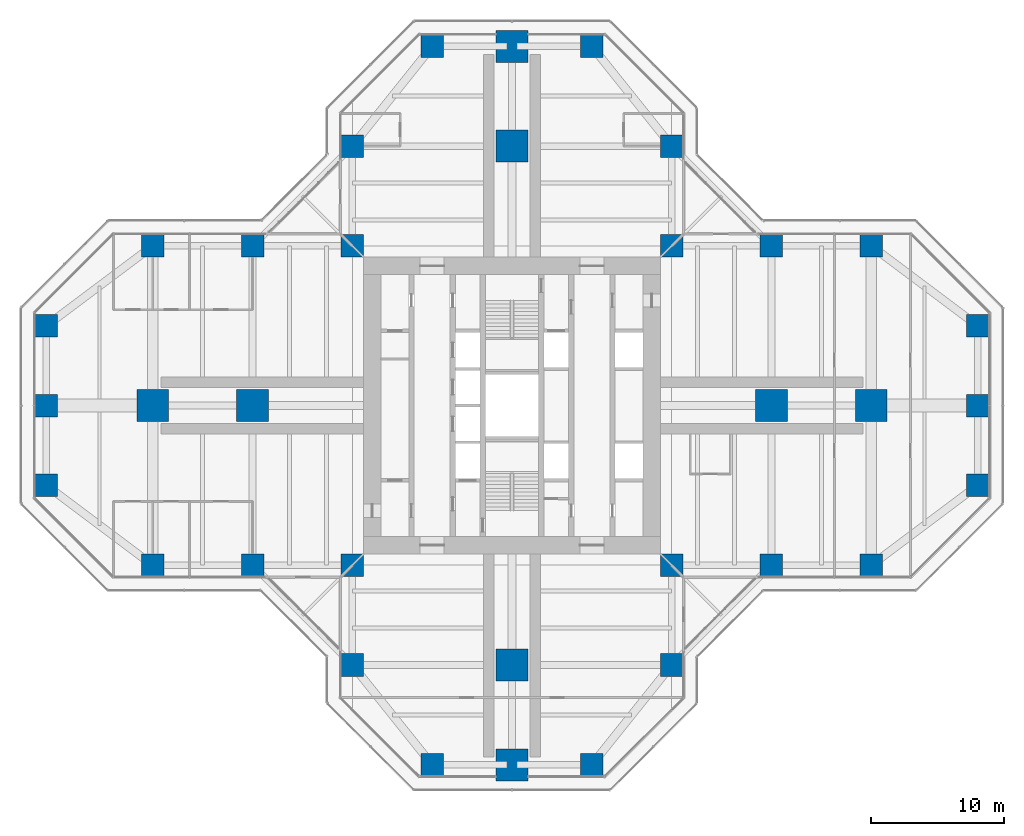
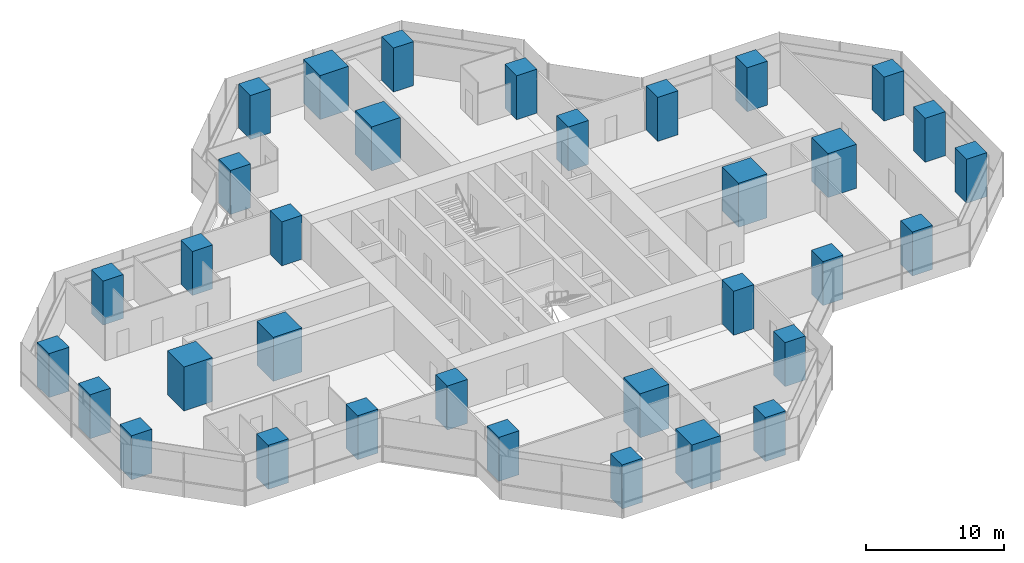
# One storey, part 1 of 20: 34 columns.
"""IFC4 building model written with IfcOpenShell, lengths in metres."""

from ifc_helpers import new_model, si_unit, direction, frame, origin, origin_2d, place, context, subcontext, project, spatial, rectangle, extrude, material, material_profile, profile_set, type_object, element, save


model = new_model("IFC4")

# Units and contexts
model_context = context("Model", 3, precision=1e-05, world=origin(), true_north=direction((0.0, 1.0)))
body_context = subcontext(model_context, "Body", "Model", "MODEL_VIEW")
ifc_project = project(units=[si_unit("LENGTHUNIT", "METRE"), si_unit("AREAUNIT", "SQUARE_METRE"), si_unit("VOLUMEUNIT", "CUBIC_METRE"), si_unit("PLANEANGLEUNIT", "RADIAN"), si_unit("MASSUNIT", "GRAM", prefix="KILO")], contexts=[model_context])

# Site, building, storey
site_placement = place(None, origin())
site = spatial("IfcSite", under=ifc_project, at=site_placement, CompositionType="ELEMENT")
building_placement = place(site_placement, origin())
building = spatial("IfcBuilding", under=site, at=building_placement, Name="Mizan Broadcast Tower", CompositionType="ELEMENT")
storey_placement = place(building_placement, frame((0.0, 0.0, 174.89990234375)))
storey = spatial("IfcBuildingStorey", under=building, at=storey_placement, Name="L40", CompositionType="ELEMENT", Elevation=174.89990234375)

# Columns
ifc_material_1 = material(Name="Concrete C70/85", Category="concrete")
ifc_material_profile_1 = material_profile(ifc_material_1, rectangle(XDim=1.699951171875, YDim=1.699951171875, at=origin_2d()), Name="RC 1700x1700")
ifc_profile_set_1 = profile_set([ifc_material_profile_1], Name="Concrete C70/85")
column_type_1 = type_object("IfcColumnType", Name="RC COLUMN 1700x1700 C70/85", PredefinedType="COLUMN", material=ifc_profile_set_1)
for number, where, z_axis, x_axis, name in (
    (1, (-6.0, -27.0, 0.0), (0.0, 0.0, 1.0), (1.0, 0.0, 0.0), "Column 5/B L40"),
    (2, (6.0, -27.0, 0.0), (0.0, 0.0, 1.0), (1.0, 0.0, 0.0), "Column 7/B L40"),
    (3, (-12.0, -19.5, 0.0), (0.0, 0.0, 1.0), (1.0, 0.0, 0.0), "Column 4/C L40"),
    (4, (12.0, -19.5, 0.0), (0.0, 0.0, 1.0), (1.0, 0.0, 0.0), "Column 8/C L40"),
    (5, (-27.0, -12.0, 0.0), (0.0, 0.0, 1.0), (1.0, 0.0, 0.0), "Column 2/D L40"),
    (6, (-19.5, -12.0, 0.0), (0.0, 0.0, 1.0), (1.0, 0.0, 0.0), "Column 3/D L40"),
    (7, (-12.0, -12.0, 0.0), (0.0, 0.0, 1.0), (1.0, 0.0, 0.0), "Column 4/D L40"),
    (8, (12.0, -12.0, 0.0), (0.0, 0.0, 1.0), (1.0, 0.0, 0.0), "Column 8/D L40"),
    (9, (19.5, -12.0, 0.0), (0.0, 0.0, 1.0), (1.0, 0.0, 0.0), "Column 9/D L40"),
    (10, (27.0, -12.0, 0.0), (0.0, 0.0, 1.0), (1.0, 0.0, 0.0), "Column 10/D L40"),
    (11, (-35.0, -6.0, 0.0), (0.0, 0.0, 1.0), (1.0, 0.0, 0.0), "Column 1/E L40"),
    (12, (35.0, -6.0, 0.0), (0.0, 0.0, 1.0), (1.0, 0.0, 0.0), "Column 11/E L40"),
    (13, (-35.0, 0.0, 0.0), (0.0, 0.0, 1.0), (1.0, 0.0, 0.0), "Column 1/F L40"),
    (14, (35.0, 0.0, 0.0), (0.0, 0.0, 1.0), (1.0, 0.0, 0.0), "Column 11/F L40"),
    (15, (-35.0, 6.0, 0.0), (0.0, 0.0, 1.0), (1.0, 0.0, 0.0), "Column 1/G L40"),
    (16, (35.0, 6.0, 0.0), (0.0, 0.0, 1.0), (1.0, 0.0, 0.0), "Column 11/G L40"),
    (17, (-27.0, 12.0, 0.0), (0.0, 0.0, 1.0), (1.0, 0.0, 0.0), "Column 2/H L40"),
    (18, (-19.5, 12.0, 0.0), (0.0, 0.0, 1.0), (1.0, 0.0, 0.0), "Column 3/H L40"),
    (19, (-12.0, 12.0, 0.0), (0.0, 0.0, 1.0), (1.0, 0.0, 0.0), "Column 4/H L40"),
    (20, (12.0, 12.0, 0.0), (0.0, 0.0, 1.0), (1.0, 0.0, 0.0), "Column 8/H L40"),
    (21, (19.5, 12.0, 0.0), (0.0, 0.0, 1.0), (1.0, 0.0, 0.0), "Column 9/H L40"),
    (22, (27.0, 12.0, 0.0), (0.0, 0.0, 1.0), (1.0, 0.0, 0.0), "Column 10/H L40"),
    (23, (-12.0, 19.5, 0.0), (0.0, 0.0, 1.0), (1.0, 0.0, 0.0), "Column 4/J L40"),
    (24, (12.0, 19.5, 0.0), (0.0, 0.0, 1.0), (1.0, 0.0, 0.0), "Column 8/J L40"),
    (25, (-6.0, 27.0, 0.0), (0.0, 0.0, 1.0), (1.0, 0.0, 0.0), "Column 5/K L40"),
    (26, (6.0, 27.0, 0.0), (0.0, 0.0, 1.0), (1.0, 0.0, 0.0), "Column 7/K L40"),
):
    element("IfcColumn", number, at=place(storey_placement, frame(where, z_axis=z_axis, x_axis=x_axis)), inside=storey, type_object=column_type_1, Name=name, PredefinedType="COLUMN", context=body_context, shape_type="SweptSolid", body=[
        extrude(rectangle(XDim=1.699951171875, YDim=1.699951171875, at=origin_2d()), origin(), (0.0, 0.0, 1.0), 3.900146484375),
    ])
ifc_material_2 = material(Name="Concrete C70/85", Category="concrete")
ifc_material_profile_2 = material_profile(ifc_material_2, rectangle(XDim=2.39990234375, YDim=2.39990234375, at=origin_2d()), Name="RC 2400x2400")
ifc_profile_set_2 = profile_set([ifc_material_profile_2], Name="Concrete C70/85")
column_type_2 = type_object("IfcColumnType", Name="RC COLUMN 2400x2400 C70/85", PredefinedType="COLUMN", material=ifc_profile_set_2)
for number, where, z_axis, x_axis, name in (
    (27, (0.0, -27.0, 0.0), (0.0, 0.0, 1.0), (1.0, 0.0, 0.0), "Column 6/B L40"),
    (28, (0.0, -19.5, 0.0), (0.0, 0.0, 1.0), (1.0, 0.0, 0.0), "Column 6/C L40"),
    (29, (-27.0, 0.0, 0.0), (0.0, 0.0, 1.0), (1.0, 0.0, 0.0), "Column 2/F L40"),
    (30, (-19.5, 0.0, 0.0), (0.0, 0.0, 1.0), (1.0, 0.0, 0.0), "Column 3/F L40"),
    (31, (19.5, 0.0, 0.0), (0.0, 0.0, 1.0), (1.0, 0.0, 0.0), "Column 9/F L40"),
    (32, (27.0, 0.0, 0.0), (0.0, 0.0, 1.0), (1.0, 0.0, 0.0), "Column 10/F L40"),
    (33, (0.0, 19.5, 0.0), (0.0, 0.0, 1.0), (1.0, 0.0, 0.0), "Column 6/J L40"),
    (34, (0.0, 27.0, 0.0), (0.0, 0.0, 1.0), (1.0, 0.0, 0.0), "Column 6/K L40"),
):
    element("IfcColumn", number, at=place(storey_placement, frame(where, z_axis=z_axis, x_axis=x_axis)), inside=storey, type_object=column_type_2, Name=name, PredefinedType="COLUMN", context=body_context, shape_type="SweptSolid", body=[
        extrude(rectangle(XDim=2.39990234375, YDim=2.39990234375, at=origin_2d()), origin(), (0.0, 0.0, 1.0), 3.900146484375),
    ])

save(model, "model.ifc")
